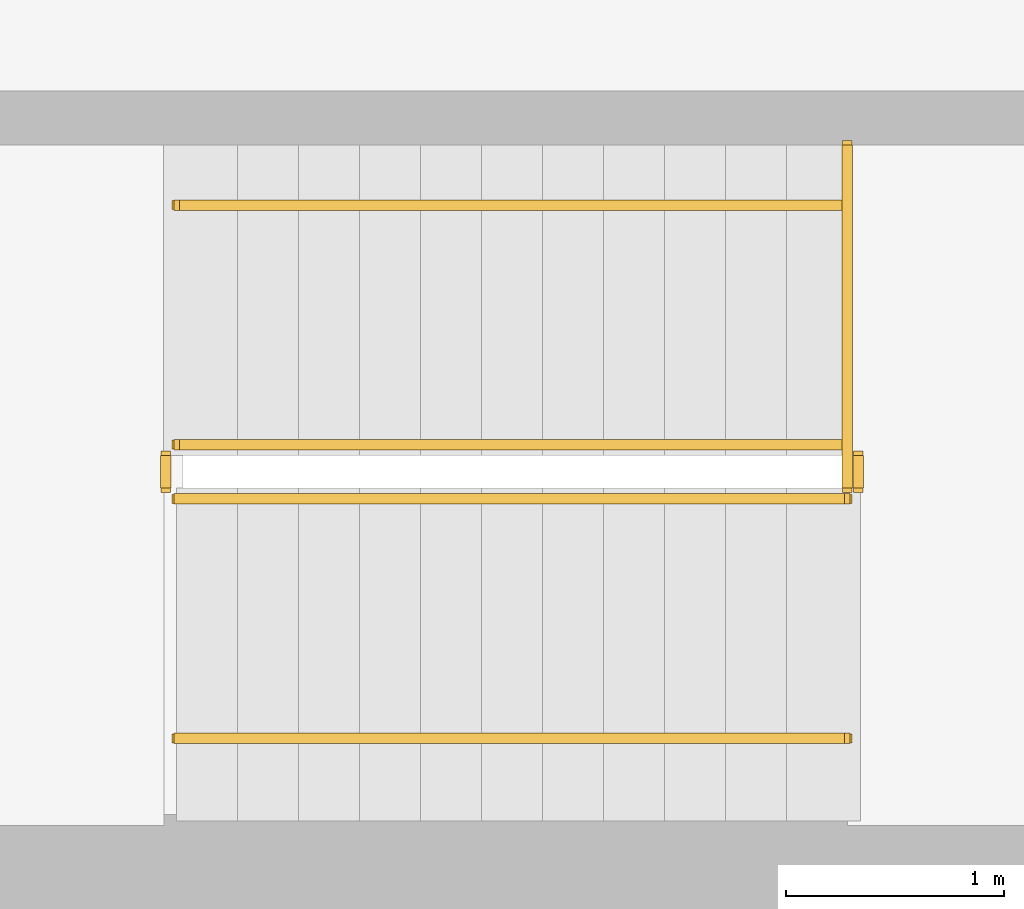
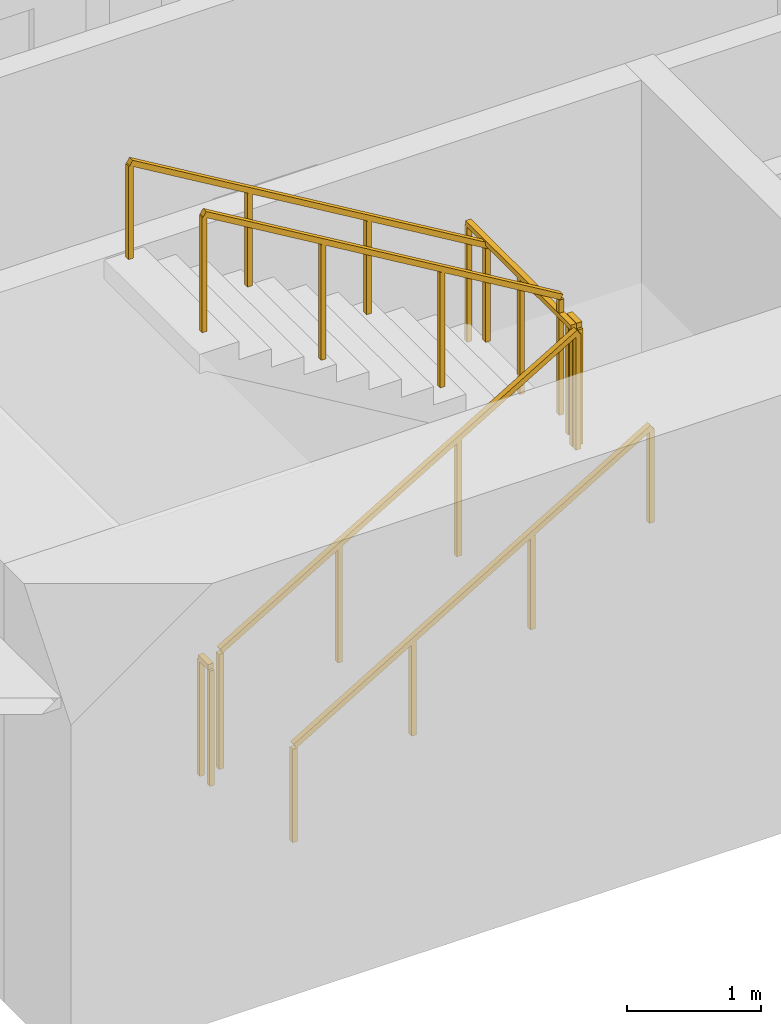
# One storey, part 13 of 16: 7 railings.
"""IFC4 building model written with IfcOpenShell, lengths in metres."""

from ifc_helpers import new_model, si_unit, direction, frame, origin, origin_2d, place, context, subcontext, project, spatial, rectangle, extrude, material, type_object, element, save


model = new_model("IFC4")

# Units and contexts
model_context = context("Model", 3, precision=1e-05, world=origin(), true_north=direction((0.0, 1.0)))
body_context = subcontext(model_context, "Body", "Model", "MODEL_VIEW")
ifc_project = project(units=[si_unit("LENGTHUNIT", "METRE"), si_unit("AREAUNIT", "SQUARE_METRE"), si_unit("VOLUMEUNIT", "CUBIC_METRE"), si_unit("PLANEANGLEUNIT", "RADIAN"), si_unit("MASSUNIT", "GRAM", prefix="KILO")], contexts=[model_context])

# Site, building, storey
site_placement = place(None, origin())
site = spatial("IfcSite", under=ifc_project, at=site_placement, CompositionType="ELEMENT")
building_placement = place(site_placement, origin())
building = spatial("IfcBuilding", under=site, at=building_placement, Name="Sennacour Bend Tower", CompositionType="ELEMENT")
storey_placement = place(building_placement, frame((0.0, 0.0, 175.0)))
storey = spatial("IfcBuildingStorey", under=building, at=storey_placement, Name="L40", CompositionType="ELEMENT", Elevation=175.0)

# Railings
ifc_material = material(Name="Stainless steel", Category="steel")
railing_type_1 = type_object("IfcRailingType", Name="RL-GUARD-1100", PredefinedType="GUARDRAIL", material=ifc_material)
railing_1_placement = place(storey_placement, frame((56.699951171875, 2.449951171875, 0.166748046875)))
element("IfcRailing", 1, at=railing_1_placement, inside=storey, type_object=railing_type_1, Name="L40 SA1 stair guard 1", PredefinedType="GUARDRAIL", context=body_context, shape_type="SweptSolid", body=[
    extrude(rectangle(XDim=0.048095703125, YDim=0.048095703125, at=origin_2d()), frame((0.0, 0.0, 1.076171875), z_axis=(0.859308565015, 0.0, 0.511457515432), x_axis=(0.0, 1.0, 0.0)), (0.0, 0.0, 1.0), 3.58447265625),
    extrude(rectangle(XDim=0.0419921875, YDim=0.0419921875, at=origin_2d()), origin(), (0.0, 0.0, 1.0), 1.052001953125),
    extrude(rectangle(XDim=0.0419921875, YDim=0.0419921875, at=origin_2d()), frame((1.026611328125, 0.0, 0.611083984375)), (0.0, 0.0, 1.0), 1.052001953125),
    extrude(rectangle(XDim=0.0419921875, YDim=0.0419921875, at=origin_2d()), frame((2.053466796875, 0.0, 1.22216796875)), (0.0, 0.0, 1.0), 1.052001953125),
    extrude(rectangle(XDim=0.0419921875, YDim=0.0419921875, at=origin_2d()), frame((3.080078125, 0.0, 1.833251953125)), (0.0, 0.0, 1.0), 1.052001953125),
])
railing_2_placement = place(storey_placement, frame((59.830078125, 2.5, 2.0)))
element("IfcRailing", 2, at=railing_2_placement, inside=storey, type_object=railing_type_1, Name="L40 SA1 stair guard 2", PredefinedType="GUARDRAIL", context=body_context, shape_type="SweptSolid", body=[
    extrude(rectangle(XDim=0.048095703125, YDim=0.048095703125, at=origin_2d()), frame((0.0, 0.0, 1.076171875), z_axis=(0.0, 1.0, 0.0), x_axis=(-1.0, 0.0, 0.0)), (0.0, 0.0, 1.0), 0.14990234375),
    extrude(rectangle(XDim=0.0419921875, YDim=0.0419921875, at=origin_2d()), origin(), (0.0, 0.0, 1.0), 1.052001953125),
    extrude(rectangle(XDim=0.0419921875, YDim=0.0419921875, at=origin_2d()), frame((0.0, 0.14990234375, 0.0)), (0.0, 0.0, 1.0), 1.052001953125),
])
railing_3_placement = place(storey_placement, frame((59.780029296875, 2.699951171875, 2.166748046875)))
element("IfcRailing", 3, at=railing_3_placement, inside=storey, type_object=railing_type_1, Name="L40 SA1 stair guard 4", PredefinedType="GUARDRAIL", context=body_context, shape_type="SweptSolid", body=[
    extrude(rectangle(XDim=0.048095703125, YDim=0.048095703125, at=origin_2d()), frame((0.0, 0.0, 1.076171875), z_axis=(-0.859308565015, 0.0, 0.511457515432), x_axis=(0.0, -1.0, 0.0)), (0.0, 0.0, 1.0), 3.58447265625),
    extrude(rectangle(XDim=0.0419921875, YDim=0.0419921875, at=origin_2d()), origin(), (0.0, 0.0, 1.0), 1.052001953125),
    extrude(rectangle(XDim=0.0419921875, YDim=0.0419921875, at=origin_2d()), frame((-1.026611328125, 0.0, 0.611083984375)), (0.0, 0.0, 1.0), 1.052001953125),
    extrude(rectangle(XDim=0.0419921875, YDim=0.0419921875, at=origin_2d()), frame((-2.053466796875, 0.0, 1.22216796875)), (0.0, 0.0, 1.0), 1.052001953125),
    extrude(rectangle(XDim=0.0419921875, YDim=0.0419921875, at=origin_2d()), frame((-3.080078125, 0.0, 1.833251953125)), (0.0, 0.0, 1.0), 1.052001953125),
])
railing_4_placement = place(storey_placement, frame((56.64990234375, 2.5, 0.0)))
element("IfcRailing", 4, at=railing_4_placement, inside=storey, type_object=railing_type_1, Name="L40 SA1 stair guard 5", PredefinedType="GUARDRAIL", context=body_context, shape_type="SweptSolid", body=[
    extrude(rectangle(XDim=0.048095703125, YDim=0.048095703125, at=origin_2d()), frame((0.0, 0.0, 1.076171875), z_axis=(0.0, 1.0, 0.0), x_axis=(-1.0, 0.0, 0.0)), (0.0, 0.0, 1.0), 0.14990234375),
    extrude(rectangle(XDim=0.0419921875, YDim=0.0419921875, at=origin_2d()), origin(), (0.0, 0.0, 1.0), 1.052001953125),
    extrude(rectangle(XDim=0.0419921875, YDim=0.0419921875, at=origin_2d()), frame((0.0, 0.14990234375, 0.0)), (0.0, 0.0, 1.0), 1.052001953125),
])
railing_5_placement = place(storey_placement, frame((59.780029296875, 2.5, 2.0)))
element("IfcRailing", 5, at=railing_5_placement, inside=storey, type_object=railing_type_1, Name="L40 SA1 landing edge guard 60", PredefinedType="GUARDRAIL", context=body_context, shape_type="SweptSolid", body=[
    extrude(rectangle(XDim=0.048095703125, YDim=0.048095703125, at=origin_2d()), frame((0.0, 0.0, 1.076171875), z_axis=(0.0, 1.0, 0.0), x_axis=(-1.0, 0.0, 0.0)), (0.0, 0.0, 1.0), 1.574951171875),
    extrude(rectangle(XDim=0.0419921875, YDim=0.0419921875, at=origin_2d()), origin(), (0.0, 0.0, 1.0), 1.052001953125),
    extrude(rectangle(XDim=0.0419921875, YDim=0.0419921875, at=origin_2d()), frame((0.0, 0.78759765625, 0.0)), (0.0, 0.0, 1.0), 1.052001953125),
    extrude(rectangle(XDim=0.0419921875, YDim=0.0419921875, at=origin_2d()), frame((0.0, 1.574951171875, 0.0)), (0.0, 0.0, 1.0), 1.052001953125),
])
railing_type_2 = type_object("IfcRailingType", Name="RL-HANDRAIL-900", PredefinedType="HANDRAIL", material=ifc_material)
railing_6_placement = place(storey_placement, frame((56.699951171875, 1.35009765625, 0.166748046875)))
element("IfcRailing", 6, at=railing_6_placement, inside=storey, type_object=railing_type_2, Name="L40 SA1 stair handrail 1", PredefinedType="HANDRAIL", context=body_context, shape_type="SweptSolid", body=[
    extrude(rectangle(XDim=0.048095703125, YDim=0.048095703125, at=origin_2d()), frame((0.0, 0.0, 0.8759765625), z_axis=(0.859308565015, 0.0, 0.511457515432), x_axis=(0.0, 1.0, 0.0)), (0.0, 0.0, 1.0), 3.58447265625),
    extrude(rectangle(XDim=0.0419921875, YDim=0.0419921875, at=origin_2d()), origin(), (0.0, 0.0, 1.0), 0.851806640625),
    extrude(rectangle(XDim=0.0419921875, YDim=0.0419921875, at=origin_2d()), frame((1.026611328125, 0.0, 0.611083984375)), (0.0, 0.0, 1.0), 0.851806640625),
    extrude(rectangle(XDim=0.0419921875, YDim=0.0419921875, at=origin_2d()), frame((2.053466796875, 0.0, 1.22216796875)), (0.0, 0.0, 1.0), 0.851806640625),
    extrude(rectangle(XDim=0.0419921875, YDim=0.0419921875, at=origin_2d()), frame((3.080078125, 0.0, 1.833251953125)), (0.0, 0.0, 1.0), 0.851806640625),
])
railing_7_placement = place(storey_placement, frame((59.780029296875, 3.800048828125, 2.166748046875)))
element("IfcRailing", 7, at=railing_7_placement, inside=storey, type_object=railing_type_2, Name="L40 SA1 stair handrail 2", PredefinedType="HANDRAIL", context=body_context, shape_type="SweptSolid", body=[
    extrude(rectangle(XDim=0.048095703125, YDim=0.048095703125, at=origin_2d()), frame((0.0, 0.0, 0.8759765625), z_axis=(-0.859308565015, 0.0, 0.511457515432), x_axis=(0.0, -1.0, 0.0)), (0.0, 0.0, 1.0), 3.58447265625),
    extrude(rectangle(XDim=0.0419921875, YDim=0.0419921875, at=origin_2d()), origin(), (0.0, 0.0, 1.0), 0.851806640625),
    extrude(rectangle(XDim=0.0419921875, YDim=0.0419921875, at=origin_2d()), frame((-1.026611328125, 0.0, 0.611083984375)), (0.0, 0.0, 1.0), 0.851806640625),
    extrude(rectangle(XDim=0.0419921875, YDim=0.0419921875, at=origin_2d()), frame((-2.053466796875, 0.0, 1.22216796875)), (0.0, 0.0, 1.0), 0.851806640625),
    extrude(rectangle(XDim=0.0419921875, YDim=0.0419921875, at=origin_2d()), frame((-3.080078125, 0.0, 1.833251953125)), (0.0, 0.0, 1.0), 0.851806640625),
])

save(model, "model.ifc")
